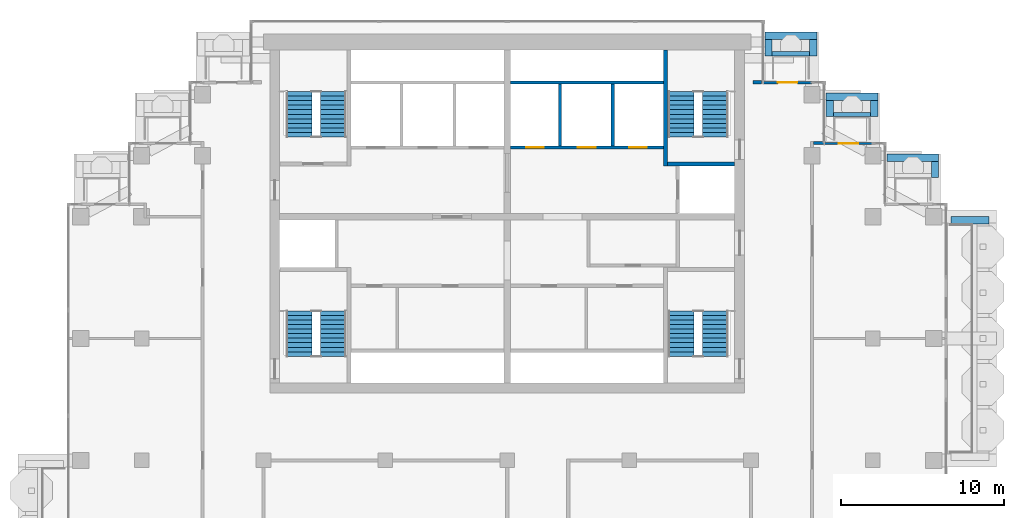
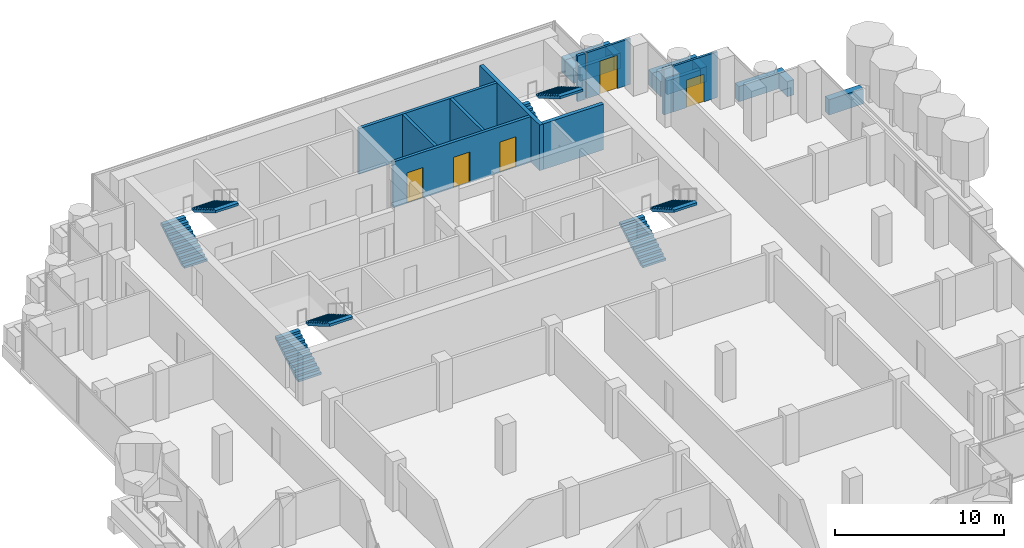
# One storey, part 14 of 18: 21 walls, 8 stair flights, 5 doors, 5 openings, 4 elements without a shape of their own.
"""IFC4 building model written with IfcOpenShell, lengths in metres."""

from ifc_helpers import new_model, si_unit, direction, frame, frame_2d, origin, place, context, subcontext, project, spatial, polyline, rectangle, outline, extrude, material, layer, layer_set, type_object, element, fill, aggregate, save


model = new_model("IFC4")

# Units and contexts
model_context = context("Model", 3, precision=1e-05, world=origin(), true_north=direction((0.0, 1.0)))
body_context = subcontext(model_context, "Body", "Model", "MODEL_VIEW")
ifc_project = project(units=[si_unit("LENGTHUNIT", "METRE"), si_unit("AREAUNIT", "SQUARE_METRE"), si_unit("VOLUMEUNIT", "CUBIC_METRE"), si_unit("PLANEANGLEUNIT", "RADIAN"), si_unit("MASSUNIT", "GRAM", prefix="KILO")], contexts=[model_context])

# Site, building, storey
site_placement = place(None, origin())
site = spatial("IfcSite", under=ifc_project, at=site_placement, CompositionType="ELEMENT")
building_placement = place(site_placement, origin())
building = spatial("IfcBuilding", under=site, at=building_placement, Name="Pilkhan Gate Tower", CompositionType="ELEMENT")
storey_placement = place(building_placement, frame((0.0, 0.0, 210.300048828125)))
storey = spatial("IfcBuildingStorey", under=building, at=storey_placement, Name="L54", CompositionType="ELEMENT", Elevation=210.300048828125)

# Walls
ifc_material_1 = material(Name="Concrete C40/50", Category="concrete")
ifc_layer_1 = layer(ifc_material_1, 0.25)
ifc_layer_set_1 = layer_set([ifc_layer_1], Name="Balcony planter BP250")
wall_type_1 = type_object("IfcWallType", Name="Balcony planter BP250", PredefinedType="USERDEFINED", material=ifc_layer_set_1)
wall_1_placement = place(storey_placement, frame((91.300048828125, 92.52490234375, 0.0), z_axis=(0.0, 0.0, 1.0), x_axis=(1.0, 0.0, 0.0)))
element("IfcWall", 1, at=wall_1_placement, inside=storey, type_object=wall_type_1, Name="Balcony planter L54 N", ObjectType="BALCONY PLANTER", PredefinedType="USERDEFINED", context=body_context, shape_type="SweptSolid", body=[
    extrude(rectangle(XDim=2.300048828125, YDim=0.25, at=frame_2d((1.14990234375, 0.0))), origin(), (0.0, 0.0, 1.0), 1.0),
])
wall_2_placement = place(storey_placement, frame((95.070068359375, 88.77490234375, 0.0), z_axis=(0.0, 0.0, 1.0), x_axis=(1.0, 0.0, 0.0)))
element("IfcWall", 2, at=wall_2_placement, inside=storey, type_object=wall_type_1, Name="Balcony planter L54 N", ObjectType="BALCONY PLANTER", PredefinedType="USERDEFINED", context=body_context, shape_type="SweptSolid", body=[
    extrude(rectangle(XDim=2.280029296875, YDim=0.25, at=frame_2d((1.14013671875, 0.0))), origin(), (0.0, 0.0, 1.0), 1.0),
])
ifc_material_2 = material(Name="Board-marked Concrete C40/50", Category="concrete")
ifc_layer_2 = layer(ifc_material_2, 0.449951171875)
ifc_layer_set_2 = layer_set([ifc_layer_2], Name="Balcony planter lip BL450")
wall_type_2 = type_object("IfcWallType", Name="Balcony planter lip BL450", PredefinedType="USERDEFINED", material=ifc_layer_set_2)
wall_3_placement = place(storey_placement, frame((102.300048828125, 82.27490234375, 0.0), z_axis=(0.0, 0.0, 1.0), x_axis=(1.0, 0.0, 0.0)))
element("IfcWall", 3, at=wall_3_placement, inside=storey, type_object=wall_type_2, Name="Balcony planter L54 E", ObjectType="BALCONY PLANTER", PredefinedType="USERDEFINED", context=body_context, shape_type="SweptSolid", body=[
    extrude(rectangle(XDim=2.349853515625, YDim=0.449951171875, at=frame_2d((1.1748046875, 0.0))), origin(), (0.0, 0.0, 1.0), 1.099853515625),
])
wall_4_placement = place(storey_placement, frame((90.85009765625, 93.625, 0.0), z_axis=(0.0, 0.0, 1.0), x_axis=(1.0, 0.0, 0.0)))
element("IfcWall", 4, at=wall_4_placement, inside=storey, type_object=wall_type_2, Name="Balcony planter L54 N", ObjectType="BALCONY PLANTER", PredefinedType="USERDEFINED", context=body_context, shape_type="SweptSolid", body=[
    extrude(rectangle(XDim=3.199951171875, YDim=0.449951171875, at=frame_2d((1.60009765625, 0.0))), origin(), (0.0, 0.0, 1.0), 1.099853515625),
])
for number, where, z_axis, x_axis, name in (
    (5, (91.074951171875, 92.39990234375, 0.0), (0.0, 0.0, 1.0), (0.0, 1.0, 0.0), "Balcony planter L54 N"),
    (6, (93.824951171875, 92.39990234375, 0.0), (0.0, 0.0, 1.0), (0.0, 1.0, 0.0), "Balcony planter L54 N"),
):
    element("IfcWall", number, at=place(storey_placement, frame(where, z_axis=z_axis, x_axis=x_axis)), inside=storey, type_object=wall_type_2, Name=name, ObjectType="BALCONY PLANTER", PredefinedType="USERDEFINED", context=body_context, shape_type="SweptSolid", body=[
        extrude(rectangle(XDim=1.0, YDim=0.449951171875, at=frame_2d((0.5, 0.0))), origin(), (0.0, 0.0, 1.0), 1.099853515625),
    ])
wall_5_placement = place(storey_placement, frame((94.6201171875, 89.875, 0.0), z_axis=(0.0, 0.0, 1.0), x_axis=(1.0, 0.0, 0.0)))
element("IfcWall", 7, at=wall_5_placement, inside=storey, type_object=wall_type_2, Name="Balcony planter L54 N", ObjectType="BALCONY PLANTER", PredefinedType="USERDEFINED", context=body_context, shape_type="SweptSolid", body=[
    extrude(rectangle(XDim=3.179931640625, YDim=0.449951171875, at=frame_2d((1.58984375, 0.0))), origin(), (0.0, 0.0, 1.0), 1.099853515625),
])
for number, where, z_axis, x_axis, name in (
    (8, (94.844970703125, 88.64990234375, 0.0), (0.0, 0.0, 1.0), (0.0, 1.0, 0.0), "Balcony planter L54 N"),
    (9, (97.574951171875, 88.64990234375, 0.0), (0.0, 0.0, 1.0), (0.0, 1.0, 0.0), "Balcony planter L54 N"),
):
    element("IfcWall", number, at=place(storey_placement, frame(where, z_axis=z_axis, x_axis=x_axis)), inside=storey, type_object=wall_type_2, Name=name, ObjectType="BALCONY PLANTER", PredefinedType="USERDEFINED", context=body_context, shape_type="SweptSolid", body=[
        extrude(rectangle(XDim=1.0, YDim=0.449951171875, at=frame_2d((0.5, 0.0))), origin(), (0.0, 0.0, 1.0), 1.099853515625),
    ])
wall_6_placement = place(storey_placement, frame((98.3701171875, 86.125, 0.0), z_axis=(0.0, 0.0, 1.0), x_axis=(1.0, 0.0, 0.0)))
element("IfcWall", 10, at=wall_6_placement, inside=storey, type_object=wall_type_2, Name="Balcony planter L54 N", ObjectType="BALCONY PLANTER", PredefinedType="USERDEFINED", context=body_context, shape_type="SweptSolid", body=[
    extrude(rectangle(XDim=3.179931640625, YDim=0.449951171875, at=frame_2d((1.58984375, 0.0))), origin(), (0.0, 0.0, 1.0), 1.099853515625),
])
wall_7_placement = place(storey_placement, frame((101.324951171875, 84.89990234375, 0.0), z_axis=(0.0, 0.0, 1.0), x_axis=(0.0, 1.0, 0.0)))
element("IfcWall", 11, at=wall_7_placement, inside=storey, type_object=wall_type_2, Name="Balcony planter L54 N", ObjectType="BALCONY PLANTER", PredefinedType="USERDEFINED", context=body_context, shape_type="SweptSolid", body=[
    extrude(rectangle(XDim=1.0, YDim=0.449951171875, at=frame_2d((0.5, 0.0))), origin(), (0.0, 0.0, 1.0), 1.099853515625),
])
ifc_material_3 = material(Name="Dense blockwork", Category="masonry")
ifc_layer_3 = layer(ifc_material_3, 0.199951171875)
ifc_layer_set_3 = layer_set([ifc_layer_3], Name="Corridor wall FW200")
wall_type_3 = type_object("IfcWallType", Name="Corridor wall FW200", PredefinedType="PARTITIONING", material=ifc_layer_set_3)
wall_8_placement = place(storey_placement, frame((93.85009765625, 87.030029296875, 0.0), z_axis=(0.0, 0.0, 1.0), x_axis=(1.0, 0.0, 0.0)))
element("IfcWall", 12, at=wall_8_placement, inside=storey, type_object=wall_type_3, Name="Partition L54", PredefinedType="PARTITIONING", context=body_context, shape_type="SweptSolid", body=[
    extrude(rectangle(XDim=0.639892578125, YDim=0.199951171875, at=frame_2d((0.31982421875, 0.0))), origin(), (0.0, 0.0, 1.0), 3.300048828125),
])
wall_9_placement = place(storey_placement, frame((90.1201171875, 90.764892578125, 0.0), z_axis=(0.0, 0.0, 1.0), x_axis=(1.0, 0.0, 0.0)))
element("IfcWall", 13, at=wall_9_placement, inside=storey, type_object=wall_type_3, Name="Partition L54", PredefinedType="PARTITIONING", context=body_context, shape_type="SweptSolid", body=[
    extrude(rectangle(XDim=0.52490234375, YDim=0.199951171875, at=frame_2d((0.262451171875, 0.0))), origin(), (0.0, 0.0, 1.0), 3.300048828125),
])

# Wall, opening, door
ifc_material_4 = material(Name="Pale anodised aluminium, clear laminated glazing", Category="aluminium")
ifc_layer_4 = layer(ifc_material_4, 0.14990234375)
ifc_layer_set_4 = layer_set([ifc_layer_4], Name="Facade infill wall IW150")
wall_type_4 = type_object("IfcWallType", Name="Facade infill wall IW150", PredefinedType="SOLIDWALL", material=ifc_layer_set_4)
wall_10_placement = place(storey_placement, frame((94.5, 87.0, 0.0), z_axis=(0.0, 0.0, 1.0), x_axis=(1.0, 0.0, 0.0)))
wall_10 = element("IfcWall", 14, at=wall_10_placement, inside=storey, type_object=wall_type_4, Name="Infill wall L54 N", PredefinedType="SOLIDWALL", context=body_context, shape_type="SweptSolid", body=[
    extrude(rectangle(XDim=3.0, YDim=0.14990234375, at=frame_2d((1.5, 0.0))), origin(), (0.0, 0.0, 1.0), 3.300048828125),
])
opening_1_placement = place(wall_10_placement, frame((0.89990234375, 0.0, 0.0)))
opening_1 = element("IfcOpeningElement", 15, at=opening_1_placement, cuts=wall_10, Name="Opening D1L", PredefinedType="OPENING", context=body_context, shape_type="SweptSolid", body=[
    extrude(rectangle(XDim=1.199951171875, YDim=2.0, at=frame_2d((0.60009765625, 1.0))), frame((0.0, 0.0849609375, 0.0), z_axis=(0.0, -1.0, 0.0), x_axis=(1.0, 0.0, 0.0)), (0.0, 0.0, 1.0), 0.169921875),
])
ifc_material_5 = material(Name="Pale anodised aluminium, clear glazing", Category="aluminium")
door_type_1 = type_object("IfcDoorType", Name="Balcony door D1L 1200x2000", OperationType="SINGLE_SWING_LEFT", PredefinedType="DOOR", material=ifc_material_5)
door_1_placement = place(opening_1_placement, origin())
door_1 = element("IfcDoor", 16, at=door_1_placement, inside=storey, type_object=door_type_1, Name="Balcony door L54", OperationType="SINGLE_SWING_LEFT", OverallHeight=2.0, OverallWidth=1.199951171875, PredefinedType="DOOR", context=body_context, shape_type="SweptSolid", body=[
    extrude(rectangle(XDim=1.199951171875, YDim=2.0, at=frame_2d((0.60009765625, 1.0))), frame((0.0, 0.02490234375, 0.0), z_axis=(0.0, -1.0, 0.0), x_axis=(1.0, 0.0, 0.0)), (0.0, 0.0, 1.0), 0.050048828125),
])
fill(opening_1, door_1)

wall_11_placement = place(storey_placement, frame((90.75, 90.75, 0.0), z_axis=(0.0, 0.0, 1.0), x_axis=(1.0, 0.0, 0.0)))
wall_11 = element("IfcWall", 17, at=wall_11_placement, inside=storey, type_object=wall_type_4, Name="Infill wall L54 N", PredefinedType="SOLIDWALL", context=body_context, shape_type="SweptSolid", body=[
    extrude(rectangle(XDim=3.0, YDim=0.14990234375, at=frame_2d((1.5, 0.0))), origin(), (0.0, 0.0, 1.0), 3.300048828125),
])
opening_2_placement = place(wall_11_placement, frame((0.89990234375, 0.0, 0.0)))
opening_2 = element("IfcOpeningElement", 18, at=opening_2_placement, cuts=wall_11, Name="Opening D1", PredefinedType="OPENING", context=body_context, shape_type="SweptSolid", body=[
    extrude(rectangle(XDim=1.199951171875, YDim=2.39990234375, at=frame_2d((0.60009765625, 1.199951171875))), frame((0.0, 0.0849609375, 0.0), z_axis=(0.0, -1.0, 0.0), x_axis=(1.0, 0.0, 0.0)), (0.0, 0.0, 1.0), 0.169921875),
])
door_type_2 = type_object("IfcDoorType", Name="Balcony door D1 1200x2400", OperationType="SINGLE_SWING_LEFT", PredefinedType="DOOR", material=ifc_material_5)
door_2_placement = place(opening_2_placement, origin())
door_2 = element("IfcDoor", 19, at=door_2_placement, inside=storey, type_object=door_type_2, Name="Balcony door L54", OperationType="SINGLE_SWING_LEFT", OverallHeight=2.39990234375, OverallWidth=1.199951171875, PredefinedType="DOOR", context=body_context, shape_type="SweptSolid", body=[
    extrude(rectangle(XDim=1.199951171875, YDim=2.39990234375, at=frame_2d((0.60009765625, 1.199951171875))), frame((0.0, 0.02490234375, 0.0), z_axis=(0.0, -1.0, 0.0), x_axis=(1.0, 0.0, 0.0)), (0.0, 0.0, 1.0), 0.050048828125),
])
fill(opening_2, door_2)

# Wall, openings, doors
ifc_material_6 = material(Name="Reinforced blockwork shaft wall, 120 minute fire resisting", Category="masonry")
ifc_layer_5 = layer(ifc_material_6, 0.199951171875)
ifc_layer_set_5 = layer_set([ifc_layer_5], Name="Shaft wall SW200")
wall_type_5 = type_object("IfcWallType", Name="Shaft wall SW200", PredefinedType="PARTITIONING", material=ifc_layer_set_5)
wall_12_placement = place(storey_placement, frame((75.2099609375, 86.75, 0.0), z_axis=(0.0, 0.0, 1.0), x_axis=(1.0, 0.0, 0.0)))
wall_12 = element("IfcWall", 20, at=wall_12_placement, inside=storey, type_object=wall_type_5, Name="Partition L54", PredefinedType="PARTITIONING", context=body_context, shape_type="SweptSolid", body=[
    extrude(rectangle(XDim=9.4150390625, YDim=0.199951171875, at=frame_2d((4.70751953125, 0.0))), origin(), (0.0, 0.0, 1.0), 3.300048828125),
])
opening_3_placement = place(wall_12_placement, frame((0.949951171875, 0.0, 0.0)))
opening_3 = element("IfcOpeningElement", 21, at=opening_3_placement, cuts=wall_12, Name="Opening LD", PredefinedType="OPENING", context=body_context, shape_type="SweptSolid", body=[
    extrude(rectangle(XDim=1.10009765625, YDim=2.199951171875, at=frame_2d((0.550048828125, 1.10009765625))), frame((0.0, 0.10986328125, 0.0), z_axis=(0.0, -1.0, 0.0), x_axis=(1.0, 0.0, 0.0)), (0.0, 0.0, 1.0), 0.219970703125),
])
opening_4_placement = place(wall_12_placement, frame((4.139892578125, 0.0, 0.0)))
opening_4 = element("IfcOpeningElement", 22, at=opening_4_placement, cuts=wall_12, Name="Opening LD", PredefinedType="OPENING", context=body_context, shape_type="SweptSolid", body=[
    extrude(rectangle(XDim=1.10009765625, YDim=2.199951171875, at=frame_2d((0.550048828125, 1.10009765625))), frame((0.0, 0.10986328125, 0.0), z_axis=(0.0, -1.0, 0.0), x_axis=(1.0, 0.0, 0.0)), (0.0, 0.0, 1.0), 0.219970703125),
])
opening_5_placement = place(wall_12_placement, frame((7.2900390625, 0.0, 0.0)))
opening_5 = element("IfcOpeningElement", 23, at=opening_5_placement, cuts=wall_12, Name="Opening LD", PredefinedType="OPENING", context=body_context, shape_type="SweptSolid", body=[
    extrude(rectangle(XDim=1.10009765625, YDim=2.199951171875, at=frame_2d((0.550048828125, 1.10009765625))), frame((0.0, 0.10986328125, 0.0), z_axis=(0.0, -1.0, 0.0), x_axis=(1.0, 0.0, 0.0)), (0.0, 0.0, 1.0), 0.219970703125),
])
ifc_material_7 = material(Name="Stainless steel centre-opening landing door, 120 minute fire resisting", Category="steel")
door_type_3 = type_object("IfcDoorType", Name="Lift landing door LD 1100x2200", OperationType="DOUBLE_DOOR_SLIDING", PredefinedType="DOOR", material=ifc_material_7)
door_3_placement = place(opening_3_placement, origin())
door_3 = element("IfcDoor", 24, at=door_3_placement, inside=storey, type_object=door_type_3, Name="Landing door HR1", OperationType="DOUBLE_DOOR_SLIDING", OverallHeight=2.199951171875, OverallWidth=1.10009765625, PredefinedType="DOOR", context=body_context, shape_type="SweptSolid", body=[
    extrude(rectangle(XDim=1.10009765625, YDim=2.199951171875, at=frame_2d((0.550048828125, 1.10009765625))), frame((0.0, 0.02490234375, 0.0), z_axis=(0.0, -1.0, 0.0), x_axis=(1.0, 0.0, 0.0)), (0.0, 0.0, 1.0), 0.050048828125),
])
fill(opening_3, door_3)
door_4_placement = place(opening_4_placement, origin())
door_4 = element("IfcDoor", 25, at=door_4_placement, inside=storey, type_object=door_type_3, Name="Landing door HR2", OperationType="DOUBLE_DOOR_SLIDING", OverallHeight=2.199951171875, OverallWidth=1.10009765625, PredefinedType="DOOR", context=body_context, shape_type="SweptSolid", body=[
    extrude(rectangle(XDim=1.10009765625, YDim=2.199951171875, at=frame_2d((0.550048828125, 1.10009765625))), frame((0.0, 0.02490234375, 0.0), z_axis=(0.0, -1.0, 0.0), x_axis=(1.0, 0.0, 0.0)), (0.0, 0.0, 1.0), 0.050048828125),
])
fill(opening_4, door_4)
door_5_placement = place(opening_5_placement, origin())
door_5 = element("IfcDoor", 26, at=door_5_placement, inside=storey, type_object=door_type_3, Name="Landing door HR3", OperationType="DOUBLE_DOOR_SLIDING", OverallHeight=2.199951171875, OverallWidth=1.10009765625, PredefinedType="DOOR", context=body_context, shape_type="SweptSolid", body=[
    extrude(rectangle(XDim=1.10009765625, YDim=2.199951171875, at=frame_2d((0.550048828125, 1.10009765625))), frame((0.0, 0.02490234375, 0.0), z_axis=(0.0, -1.0, 0.0), x_axis=(1.0, 0.0, 0.0)), (0.0, 0.0, 1.0), 0.050048828125),
])
fill(opening_5, door_5)

# Walls
wall_13_placement = place(storey_placement, frame((75.2099609375, 90.75, 0.0), z_axis=(0.0, 0.0, 1.0), x_axis=(1.0, 0.0, 0.0)))
element("IfcWall", 27, at=wall_13_placement, inside=storey, type_object=wall_type_5, Name="Partition L54", PredefinedType="PARTITIONING", context=body_context, shape_type="SweptSolid", body=[
    extrude(rectangle(XDim=9.4150390625, YDim=0.199951171875, at=frame_2d((4.70751953125, 0.0))), origin(), (0.0, 0.0, 1.0), 3.300048828125),
])
for number, where, z_axis, x_axis, name in (
    (28, (78.25, 86.85009765625, 0.0), (0.0, 0.0, 1.0), (0.0, 1.0, 0.0), "Partition L54"),
    (29, (81.5, 86.85009765625, 0.0), (0.0, 0.0, 1.0), (0.0, 1.0, 0.0), "Partition L54"),
):
    element("IfcWall", number, at=place(storey_placement, frame(where, z_axis=z_axis, x_axis=x_axis)), inside=storey, type_object=wall_type_5, Name=name, PredefinedType="PARTITIONING", context=body_context, shape_type="SweptSolid", body=[
        extrude(rectangle(XDim=3.7998046875, YDim=0.199951171875, at=frame_2d((1.89990234375, 0.0))), origin(), (0.0, 0.0, 1.0), 3.300048828125),
    ])
ifc_material_8 = material(Name="Reinforced blockwork, 120 minute fire resisting", Category="masonry")
ifc_layer_6 = layer(ifc_material_8, 0.25)
ifc_layer_set_6 = layer_set([ifc_layer_6], Name="Stair enclosure wall SE250")
wall_type_6 = type_object("IfcWallType", Name="Stair enclosure wall SE250", PredefinedType="PARTITIONING", material=ifc_layer_set_6)
wall_14_placement = place(storey_placement, frame((84.875, 85.75, 0.0), z_axis=(0.0, 0.0, 1.0), x_axis=(1.0, 0.0, 0.0)))
element("IfcWall", 30, at=wall_14_placement, inside=storey, type_object=wall_type_6, Name="Partition L54", PredefinedType="PARTITIONING", context=body_context, shape_type="SweptSolid", body=[
    extrude(rectangle(XDim=4.114990234375, YDim=0.25, at=frame_2d((2.0576171875, 0.0))), origin(), (0.0, 0.0, 1.0), 3.300048828125),
])
wall_15_placement = place(storey_placement, frame((84.75, 85.625, 0.0), z_axis=(0.0, 0.0, 1.0), x_axis=(0.0, 1.0, 0.0)))
element("IfcWall", 31, at=wall_15_placement, inside=storey, type_object=wall_type_6, Name="Partition L54", PredefinedType="PARTITIONING", context=body_context, shape_type="SweptSolid", body=[
    extrude(rectangle(XDim=7.114990234375, YDim=0.25, at=frame_2d((3.5576171875, 0.0))), origin(), (0.0, 0.0, 1.0), 3.300048828125),
])

# Stair, stair flights
ifc_material_9 = material(Name="Concrete C40/50 precast", Category="concrete")
stair_type_1 = type_object("IfcStairType", Name="Stair ST1 164x280", PredefinedType="HALF_TURN_STAIR", material=ifc_material_9)
stair_1_placement = place(storey_placement, origin())
stair_1 = element("IfcStair", 32, at=stair_1_placement, inside=storey, type_object=stair_type_1, Name="Stair ST1 L54", PredefinedType="HALF_TURN_STAIR")
stair_flight_type_1 = type_object("IfcStairFlightType", Name="Stair flight ST1 164x280x11", PredefinedType="STRAIGHT", material=ifc_material_9)
stair_flight_1_placement = place(storey_placement, frame((85.68994140625, 73.89990234375, 0.0), z_axis=(0.0, 0.0, 1.0), x_axis=(0.0, 1.0, 0.0)))
stair_flight_1 = element("IfcStairFlight", 33, at=stair_flight_1_placement, type_object=stair_flight_type_1, Name="ST1 flight 1", NumberOfRisers=11, NumberOfTreads=10, PredefinedType="STRAIGHT", RiserHeight=0.163636364, TreadLength=0.28, context=body_context, shape_type="SweptSolid", body=[
    extrude(outline(polyline([(0.0, 0.0), (0.0, 0.16357421875), (0.280029296875, 0.16357421875), (0.280029296875, 0.327392578125), (0.56005859375, 0.327392578125), (0.56005859375, 0.490966796875), (0.840087890625, 0.490966796875), (0.840087890625, 0.654541015625), (1.1201171875, 0.654541015625), (1.1201171875, 0.818115234375), (1.39990234375, 0.818115234375), (1.39990234375, 0.98193359375), (1.679931640625, 0.98193359375), (1.679931640625, 1.1455078125), (1.9599609375, 1.1455078125), (1.9599609375, 1.30908203125), (2.239990234375, 1.30908203125), (2.239990234375, 1.47265625), (2.52001953125, 1.47265625), (2.52001953125, 1.636474609375), (2.800048828125, 1.636474609375), (2.800048828125, 1.800048828125), (2.800048828125, 1.462646484375), (0.297119140625, 0.0), (0.0, 0.0)])), frame((0.0, 0.7900390625, 0.0), z_axis=(0.0, -1.0, 0.0), x_axis=(1.0, 0.0, 0.0)), (0.0, 0.0, 1.0), 1.580078125),
])
stair_flight_2_placement = place(storey_placement, frame((87.81005859375, 76.699951171875, 1.800048828125), z_axis=(0.0, 0.0, 1.0), x_axis=(0.0, -1.0, 0.0)))
stair_flight_2 = element("IfcStairFlight", 34, at=stair_flight_2_placement, type_object=stair_flight_type_1, Name="ST1 flight 2", NumberOfRisers=11, NumberOfTreads=10, PredefinedType="STRAIGHT", RiserHeight=0.163636364, TreadLength=0.28, context=body_context, shape_type="SweptSolid", body=[
    extrude(outline(polyline([(0.0, 0.0), (0.0, 0.16357421875), (0.280029296875, 0.16357421875), (0.280029296875, 0.327392578125), (0.56005859375, 0.327392578125), (0.56005859375, 0.490966796875), (0.840087890625, 0.490966796875), (0.840087890625, 0.654541015625), (1.1201171875, 0.654541015625), (1.1201171875, 0.818115234375), (1.39990234375, 0.818115234375), (1.39990234375, 0.98193359375), (1.679931640625, 0.98193359375), (1.679931640625, 1.1455078125), (1.9599609375, 1.1455078125), (1.9599609375, 1.30908203125), (2.239990234375, 1.30908203125), (2.239990234375, 1.47265625), (2.52001953125, 1.47265625), (2.52001953125, 1.636474609375), (2.800048828125, 1.636474609375), (2.800048828125, 1.800048828125), (2.800048828125, 1.462646484375), (0.297119140625, 0.0), (0.0, 0.0)])), frame((0.0, 0.7900390625, 0.0), z_axis=(0.0, -1.0, 0.0), x_axis=(1.0, 0.0, 0.0)), (0.0, 0.0, 1.0), 1.580078125),
])
aggregate(stair_1, [stair_flight_1, stair_flight_2])

stair_type_2 = type_object("IfcStairType", Name="Stair ST2 164x280", PredefinedType="HALF_TURN_STAIR", material=ifc_material_9)
stair_2_placement = place(storey_placement, origin())
stair_2 = element("IfcStair", 35, at=stair_2_placement, inside=storey, type_object=stair_type_2, Name="Stair ST2 L54", PredefinedType="HALF_TURN_STAIR")
stair_flight_type_2 = type_object("IfcStairFlightType", Name="Stair flight ST2 164x280x11", PredefinedType="STRAIGHT", material=ifc_material_9)
stair_flight_3_placement = place(storey_placement, frame((62.18994140625, 73.89990234375, 0.0), z_axis=(0.0, 0.0, 1.0), x_axis=(0.0, 1.0, 0.0)))
stair_flight_3 = element("IfcStairFlight", 36, at=stair_flight_3_placement, type_object=stair_flight_type_2, Name="ST2 flight 1", NumberOfRisers=11, NumberOfTreads=10, PredefinedType="STRAIGHT", RiserHeight=0.163636364, TreadLength=0.28, context=body_context, shape_type="SweptSolid", body=[
    extrude(outline(polyline([(0.0, 0.0), (0.0, 0.16357421875), (0.280029296875, 0.16357421875), (0.280029296875, 0.327392578125), (0.56005859375, 0.327392578125), (0.56005859375, 0.490966796875), (0.840087890625, 0.490966796875), (0.840087890625, 0.654541015625), (1.1201171875, 0.654541015625), (1.1201171875, 0.818115234375), (1.39990234375, 0.818115234375), (1.39990234375, 0.98193359375), (1.679931640625, 0.98193359375), (1.679931640625, 1.1455078125), (1.9599609375, 1.1455078125), (1.9599609375, 1.30908203125), (2.239990234375, 1.30908203125), (2.239990234375, 1.47265625), (2.52001953125, 1.47265625), (2.52001953125, 1.636474609375), (2.800048828125, 1.636474609375), (2.800048828125, 1.800048828125), (2.800048828125, 1.462646484375), (0.297119140625, 0.0), (0.0, 0.0)])), frame((0.0, 0.7900390625, 0.0), z_axis=(0.0, -1.0, 0.0), x_axis=(1.0, 0.0, 0.0)), (0.0, 0.0, 1.0), 1.580078125),
])
stair_flight_4_placement = place(storey_placement, frame((64.31005859375, 76.699951171875, 1.800048828125), z_axis=(0.0, 0.0, 1.0), x_axis=(0.0, -1.0, 0.0)))
stair_flight_4 = element("IfcStairFlight", 37, at=stair_flight_4_placement, type_object=stair_flight_type_2, Name="ST2 flight 2", NumberOfRisers=11, NumberOfTreads=10, PredefinedType="STRAIGHT", RiserHeight=0.163636364, TreadLength=0.28, context=body_context, shape_type="SweptSolid", body=[
    extrude(outline(polyline([(0.0, 0.0), (0.0, 0.16357421875), (0.280029296875, 0.16357421875), (0.280029296875, 0.327392578125), (0.56005859375, 0.327392578125), (0.56005859375, 0.490966796875), (0.840087890625, 0.490966796875), (0.840087890625, 0.654541015625), (1.1201171875, 0.654541015625), (1.1201171875, 0.818115234375), (1.39990234375, 0.818115234375), (1.39990234375, 0.98193359375), (1.679931640625, 0.98193359375), (1.679931640625, 1.1455078125), (1.9599609375, 1.1455078125), (1.9599609375, 1.30908203125), (2.239990234375, 1.30908203125), (2.239990234375, 1.47265625), (2.52001953125, 1.47265625), (2.52001953125, 1.636474609375), (2.800048828125, 1.636474609375), (2.800048828125, 1.800048828125), (2.800048828125, 1.462646484375), (0.297119140625, 0.0), (0.0, 0.0)])), frame((0.0, 0.7900390625, 0.0), z_axis=(0.0, -1.0, 0.0), x_axis=(1.0, 0.0, 0.0)), (0.0, 0.0, 1.0), 1.580078125),
])
aggregate(stair_2, [stair_flight_3, stair_flight_4])

stair_type_3 = type_object("IfcStairType", Name="Stair ST3 164x280", PredefinedType="HALF_TURN_STAIR", material=ifc_material_9)
stair_3_placement = place(storey_placement, origin())
stair_3 = element("IfcStair", 38, at=stair_3_placement, inside=storey, type_object=stair_type_3, Name="Stair ST3 L54", PredefinedType="HALF_TURN_STAIR")
stair_flight_type_3 = type_object("IfcStairFlightType", Name="Stair flight ST3 164x280x11", PredefinedType="STRAIGHT", material=ifc_material_9)
stair_flight_5_placement = place(storey_placement, frame((62.18994140625, 87.39990234375, 0.0), z_axis=(0.0, 0.0, 1.0), x_axis=(0.0, 1.0, 0.0)))
stair_flight_5 = element("IfcStairFlight", 39, at=stair_flight_5_placement, type_object=stair_flight_type_3, Name="ST3 flight 1", NumberOfRisers=11, NumberOfTreads=10, PredefinedType="STRAIGHT", RiserHeight=0.163636364, TreadLength=0.28, context=body_context, shape_type="SweptSolid", body=[
    extrude(outline(polyline([(0.0, 0.0), (0.0, 0.16357421875), (0.280029296875, 0.16357421875), (0.280029296875, 0.327392578125), (0.56005859375, 0.327392578125), (0.56005859375, 0.490966796875), (0.840087890625, 0.490966796875), (0.840087890625, 0.654541015625), (1.1201171875, 0.654541015625), (1.1201171875, 0.818115234375), (1.39990234375, 0.818115234375), (1.39990234375, 0.98193359375), (1.679931640625, 0.98193359375), (1.679931640625, 1.1455078125), (1.9599609375, 1.1455078125), (1.9599609375, 1.30908203125), (2.239990234375, 1.30908203125), (2.239990234375, 1.47265625), (2.52001953125, 1.47265625), (2.52001953125, 1.636474609375), (2.800048828125, 1.636474609375), (2.800048828125, 1.800048828125), (2.800048828125, 1.462646484375), (0.297119140625, 0.0), (0.0, 0.0)])), frame((0.0, 0.7900390625, 0.0), z_axis=(0.0, -1.0, 0.0), x_axis=(1.0, 0.0, 0.0)), (0.0, 0.0, 1.0), 1.580078125),
])
stair_flight_6_placement = place(storey_placement, frame((64.31005859375, 90.199951171875, 1.800048828125), z_axis=(0.0, 0.0, 1.0), x_axis=(0.0, -1.0, 0.0)))
stair_flight_6 = element("IfcStairFlight", 40, at=stair_flight_6_placement, type_object=stair_flight_type_3, Name="ST3 flight 2", NumberOfRisers=11, NumberOfTreads=10, PredefinedType="STRAIGHT", RiserHeight=0.163636364, TreadLength=0.28, context=body_context, shape_type="SweptSolid", body=[
    extrude(outline(polyline([(0.0, 0.0), (0.0, 0.16357421875), (0.280029296875, 0.16357421875), (0.280029296875, 0.327392578125), (0.56005859375, 0.327392578125), (0.56005859375, 0.490966796875), (0.840087890625, 0.490966796875), (0.840087890625, 0.654541015625), (1.1201171875, 0.654541015625), (1.1201171875, 0.818115234375), (1.39990234375, 0.818115234375), (1.39990234375, 0.98193359375), (1.679931640625, 0.98193359375), (1.679931640625, 1.1455078125), (1.9599609375, 1.1455078125), (1.9599609375, 1.30908203125), (2.239990234375, 1.30908203125), (2.239990234375, 1.47265625), (2.52001953125, 1.47265625), (2.52001953125, 1.636474609375), (2.800048828125, 1.636474609375), (2.800048828125, 1.800048828125), (2.800048828125, 1.462646484375), (0.297119140625, 0.0), (0.0, 0.0)])), frame((0.0, 0.7900390625, 0.0), z_axis=(0.0, -1.0, 0.0), x_axis=(1.0, 0.0, 0.0)), (0.0, 0.0, 1.0), 1.580078125),
])
aggregate(stair_3, [stair_flight_5, stair_flight_6])

stair_type_4 = type_object("IfcStairType", Name="Stair ST4 164x280", PredefinedType="HALF_TURN_STAIR", material=ifc_material_9)
stair_4_placement = place(storey_placement, origin())
stair_4 = element("IfcStair", 41, at=stair_4_placement, inside=storey, type_object=stair_type_4, Name="Stair ST4 L54", PredefinedType="HALF_TURN_STAIR")
stair_flight_type_4 = type_object("IfcStairFlightType", Name="Stair flight ST4 164x280x11", PredefinedType="STRAIGHT", material=ifc_material_9)
stair_flight_7_placement = place(storey_placement, frame((85.68994140625, 87.39990234375, 0.0), z_axis=(0.0, 0.0, 1.0), x_axis=(0.0, 1.0, 0.0)))
stair_flight_7 = element("IfcStairFlight", 42, at=stair_flight_7_placement, type_object=stair_flight_type_4, Name="ST4 flight 1", NumberOfRisers=11, NumberOfTreads=10, PredefinedType="STRAIGHT", RiserHeight=0.163636364, TreadLength=0.28, context=body_context, shape_type="SweptSolid", body=[
    extrude(outline(polyline([(0.0, 0.0), (0.0, 0.16357421875), (0.280029296875, 0.16357421875), (0.280029296875, 0.327392578125), (0.56005859375, 0.327392578125), (0.56005859375, 0.490966796875), (0.840087890625, 0.490966796875), (0.840087890625, 0.654541015625), (1.1201171875, 0.654541015625), (1.1201171875, 0.818115234375), (1.39990234375, 0.818115234375), (1.39990234375, 0.98193359375), (1.679931640625, 0.98193359375), (1.679931640625, 1.1455078125), (1.9599609375, 1.1455078125), (1.9599609375, 1.30908203125), (2.239990234375, 1.30908203125), (2.239990234375, 1.47265625), (2.52001953125, 1.47265625), (2.52001953125, 1.636474609375), (2.800048828125, 1.636474609375), (2.800048828125, 1.800048828125), (2.800048828125, 1.462646484375), (0.297119140625, 0.0), (0.0, 0.0)])), frame((0.0, 0.7900390625, 0.0), z_axis=(0.0, -1.0, 0.0), x_axis=(1.0, 0.0, 0.0)), (0.0, 0.0, 1.0), 1.580078125),
])
stair_flight_8_placement = place(storey_placement, frame((87.81005859375, 90.199951171875, 1.800048828125), z_axis=(0.0, 0.0, 1.0), x_axis=(0.0, -1.0, 0.0)))
stair_flight_8 = element("IfcStairFlight", 43, at=stair_flight_8_placement, type_object=stair_flight_type_4, Name="ST4 flight 2", NumberOfRisers=11, NumberOfTreads=10, PredefinedType="STRAIGHT", RiserHeight=0.163636364, TreadLength=0.28, context=body_context, shape_type="SweptSolid", body=[
    extrude(outline(polyline([(0.0, 0.0), (0.0, 0.16357421875), (0.280029296875, 0.16357421875), (0.280029296875, 0.327392578125), (0.56005859375, 0.327392578125), (0.56005859375, 0.490966796875), (0.840087890625, 0.490966796875), (0.840087890625, 0.654541015625), (1.1201171875, 0.654541015625), (1.1201171875, 0.818115234375), (1.39990234375, 0.818115234375), (1.39990234375, 0.98193359375), (1.679931640625, 0.98193359375), (1.679931640625, 1.1455078125), (1.9599609375, 1.1455078125), (1.9599609375, 1.30908203125), (2.239990234375, 1.30908203125), (2.239990234375, 1.47265625), (2.52001953125, 1.47265625), (2.52001953125, 1.636474609375), (2.800048828125, 1.636474609375), (2.800048828125, 1.800048828125), (2.800048828125, 1.462646484375), (0.297119140625, 0.0), (0.0, 0.0)])), frame((0.0, 0.7900390625, 0.0), z_axis=(0.0, -1.0, 0.0), x_axis=(1.0, 0.0, 0.0)), (0.0, 0.0, 1.0), 1.580078125),
])
aggregate(stair_4, [stair_flight_7, stair_flight_8])

save(model, "model.ifc")
